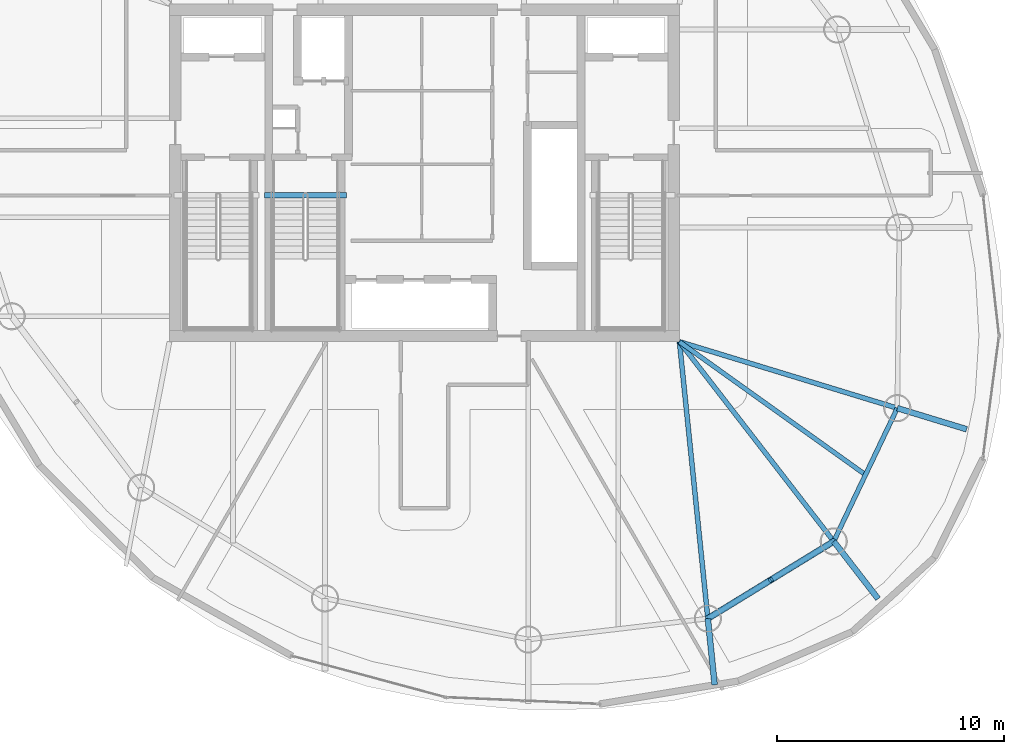
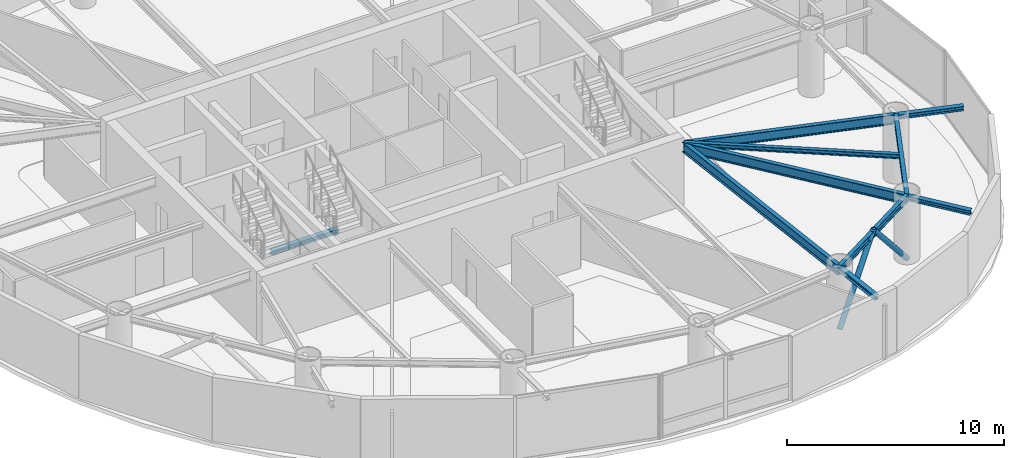
# One storey, part 6 of 20: 10 beams, 2 members.
"""IFC4 building model written with IfcOpenShell, lengths in metres."""

from ifc_helpers import new_model, si_unit, direction, frame, origin, origin_2d, place, context, subcontext, project, spatial, hollow_circle, i_section, extrude, material, material_profile, profile_set, type_object, element, save


model = new_model("IFC4")

# Units and contexts
model_context = context("Model", 3, precision=1e-05, world=origin(), true_north=direction((0.0, 1.0)))
body_context = subcontext(model_context, "Body", "Model", "MODEL_VIEW")
ifc_project = project(units=[si_unit("LENGTHUNIT", "METRE"), si_unit("AREAUNIT", "SQUARE_METRE"), si_unit("VOLUMEUNIT", "CUBIC_METRE"), si_unit("PLANEANGLEUNIT", "RADIAN"), si_unit("MASSUNIT", "GRAM", prefix="KILO")], contexts=[model_context])

# Site, building, storey
site_placement = place(None, origin())
site = spatial("IfcSite", under=ifc_project, at=site_placement, CompositionType="ELEMENT")
building_placement = place(site_placement, origin())
building = spatial("IfcBuilding", under=site, at=building_placement, Name="Bramvorn Convention Spire", CompositionType="ELEMENT")
storey_placement = place(building_placement, frame((0.0, 0.0, 178.89990234375)))
storey = spatial("IfcBuildingStorey", under=building, at=storey_placement, Name="L45", CompositionType="ELEMENT", Elevation=178.89990234375)

# Beams
ifc_material = material(Name="Steel CSA G40.21 Grade 350 (350W)", Category="steel")
ifc_material_profile_1 = material_profile(ifc_material, i_section(OverallWidth=0.201904296875, OverallDepth=0.2470703125, WebThickness=0.00732421875, FlangeThickness=0.010986328125, FilletRadius=0.011962890625, at=origin_2d()))
ifc_profile_set_1 = profile_set([ifc_material_profile_1], Name="Steel CSA G40.21 Grade 350 (350W) - W250X49")
beam_type_1 = type_object("IfcBeamType", Name="BM-W250X49", PredefinedType="JOIST", material=ifc_profile_set_1)
beam_1_placement = place(storey_placement, frame((49.25, 18.550048828125, 3.49658203125), z_axis=(0.813471895271, -0.581604225916, 0.0), x_axis=(0.581604225916, 0.813471895271, 0.0)))
element("IfcBeam", 1, at=beam_1_placement, inside=storey, type_object=beam_type_1, Name="L45 composite floor joist 01", PredefinedType="JOIST", context=body_context, shape_type="SweptSolid", body=[
    extrude(i_section(OverallWidth=0.201904296875, OverallDepth=0.2470703125, WebThickness=0.00732421875, FlangeThickness=0.010986328125, FilletRadius=0.011962890625, at=origin_2d()), origin(), (0.0, 0.0, 1.0), 10.093505859375),
])
ifc_material_profile_2 = material_profile(ifc_material, i_section(OverallWidth=0.25390625, OverallDepth=0.2529296875, WebThickness=0.008544921875, FlangeThickness=0.01416015625, FilletRadius=0.011962890625, at=origin_2d()))
ifc_profile_set_2 = profile_set([ifc_material_profile_2], Name="Steel CSA G40.21 Grade 350 (350W) - W250X73")
beam_type_2 = type_object("IfcBeamType", Name="BM-W250X73", PredefinedType="BEAM", material=ifc_profile_set_2)
beam_2_placement = place(storey_placement, frame((56.058349609375, 9.739990234375, 3.45849609375), z_axis=(0.611497441422, -0.791246408607, 0.0), x_axis=(0.791246408607, 0.611497441422, 0.0)))
element("IfcBeam", 2, at=beam_2_placement, inside=storey, type_object=beam_type_2, Name="L45 slab-edge cantilever tip beam MC01", PredefinedType="BEAM", context=body_context, shape_type="SweptSolid", body=[
    extrude(i_section(OverallWidth=0.25390625, OverallDepth=0.2529296875, WebThickness=0.008544921875, FlangeThickness=0.01416015625, FilletRadius=0.011962890625, at=origin_2d()), origin(), (0.0, 0.0, 1.0), 3.199951171875),
])
beam_3_placement = place(storey_placement, frame((58.863037109375, 15.619384765625, 3.45849609375), z_axis=(0.956544433432, -0.291586602694, 0.0), x_axis=(0.291586602694, 0.956544433432, 0.0)))
element("IfcBeam", 3, at=beam_3_placement, inside=storey, type_object=beam_type_2, Name="L45 slab-edge cantilever tip beam MC02", PredefinedType="BEAM", context=body_context, shape_type="SweptSolid", body=[
    extrude(i_section(OverallWidth=0.25390625, OverallDepth=0.2529296875, WebThickness=0.008544921875, FlangeThickness=0.01416015625, FilletRadius=0.011962890625, at=origin_2d()), origin(), (0.0, 0.0, 1.0), 3.2001953125),
])
beam_4_placement = place(storey_placement, frame((50.50439453125, 6.336181640625, 3.45849609375), z_axis=(0.102182620461, -0.994765656864, 0.0), x_axis=(0.994765656864, 0.102182620461, 0.0)))
element("IfcBeam", 4, at=beam_4_placement, inside=storey, type_object=beam_type_2, Name="L45 slab-edge cantilever tip beam MC16", PredefinedType="BEAM", context=body_context, shape_type="SweptSolid", body=[
    extrude(i_section(OverallWidth=0.25390625, OverallDepth=0.2529296875, WebThickness=0.008544921875, FlangeThickness=0.01416015625, FilletRadius=0.011962890625, at=origin_2d()), origin(), (0.0, 0.0, 1.0), 2.941162109375),
])
beam_5_placement = place(storey_placement, frame((30.949951171875, 25.010009765625, -0.12646484375), z_axis=(1.0, 0.0, 0.0), x_axis=(0.0, 1.0, 0.0)))
element("IfcBeam", 5, at=beam_5_placement, inside=storey, type_object=beam_type_2, Name="L45 ST3 stair arrival header beam", PredefinedType="BEAM", context=body_context, shape_type="SweptSolid", body=[
    extrude(i_section(OverallWidth=0.25390625, OverallDepth=0.2529296875, WebThickness=0.008544921875, FlangeThickness=0.01416015625, FilletRadius=0.011962890625, at=origin_2d()), origin(), (0.0, 0.0, 1.0), 3.610107421875),
])
ifc_material_profile_3 = material_profile(ifc_material, i_section(OverallWidth=0.205078125, OverallDepth=0.35400390625, WebThickness=0.009521484375, FlangeThickness=0.016845703125, FilletRadius=0.014892578125, at=origin_2d()))
ifc_profile_set_3 = profile_set([ifc_material_profile_3], Name="Steel CSA G40.21 Grade 350 (350W) - W360X79")
beam_type_3 = type_object("IfcBeamType", Name="BM-W360X79", PredefinedType="JOIST", material=ifc_profile_set_3)
beam_6_placement = place(storey_placement, frame((56.058349609375, 9.739990234375, 3.443115234375), z_axis=(0.430556138422, 0.902563799223, 0.0), x_axis=(-0.902563799223, 0.430556138422, 0.0)))
element("IfcBeam", 6, at=beam_6_placement, inside=storey, type_object=beam_type_3, Name="L45 mega-column ring beam 01", PredefinedType="JOIST", context=body_context, shape_type="SweptSolid", body=[
    extrude(i_section(OverallWidth=0.205078125, OverallDepth=0.35400390625, WebThickness=0.009521484375, FlangeThickness=0.016845703125, FilletRadius=0.014892578125, at=origin_2d()), origin(), (0.0, 0.0, 1.0), 6.51416015625),
])
beam_7_placement = place(storey_placement, frame((50.50439453125, 6.336181640625, 3.443115234375), z_axis=(0.852616873135, 0.522536570629, 0.0), x_axis=(-0.522536570629, 0.852616873135, 0.0)))
element("IfcBeam", 7, at=beam_7_placement, inside=storey, type_object=beam_type_3, Name="L45 mega-column ring beam 16", PredefinedType="JOIST", context=body_context, shape_type="SweptSolid", body=[
    extrude(i_section(OverallWidth=0.205078125, OverallDepth=0.35400390625, WebThickness=0.009521484375, FlangeThickness=0.016845703125, FilletRadius=0.014892578125, at=origin_2d()), origin(), (0.0, 0.0, 1.0), 6.513916015625),
])
ifc_material_profile_4 = material_profile(ifc_material, i_section(OverallWidth=0.2119140625, OverallDepth=0.5439453125, WebThickness=0.01318359375, FlangeThickness=0.021240234375, FilletRadius=0.01904296875, at=origin_2d()))
ifc_profile_set_4 = profile_set([ifc_material_profile_4], Name="Steel CSA G40.21 Grade 350 (350W) - W530X123")
beam_type_4 = type_object("IfcBeamType", Name="BM-W530X123", PredefinedType="BEAM", material=ifc_profile_set_4)
beam_8_placement = place(storey_placement, frame((49.25, 18.550048828125, 3.34814453125), z_axis=(0.611479951477, -0.791259925019, 0.0), x_axis=(0.791259925019, 0.611479951477, 0.0)))
element("IfcBeam", 8, at=beam_8_placement, inside=storey, type_object=beam_type_4, Name="L45 radial floor girder MC01", PredefinedType="BEAM", context=body_context, shape_type="SweptSolid", body=[
    extrude(i_section(OverallWidth=0.2119140625, OverallDepth=0.5439453125, WebThickness=0.01318359375, FlangeThickness=0.021240234375, FilletRadius=0.01904296875, at=origin_2d()), origin(), (0.0, 0.0, 1.0), 11.13427734375),
])
beam_9_placement = place(storey_placement, frame((49.25, 18.550048828125, 3.34814453125), z_axis=(0.95653637984, -0.291613021044, 0.0), x_axis=(0.291613021044, 0.95653637984, 0.0)))
element("IfcBeam", 9, at=beam_9_placement, inside=storey, type_object=beam_type_4, Name="L45 radial floor girder MC02", PredefinedType="BEAM", context=body_context, shape_type="SweptSolid", body=[
    extrude(i_section(OverallWidth=0.2119140625, OverallDepth=0.5439453125, WebThickness=0.01318359375, FlangeThickness=0.021240234375, FilletRadius=0.01904296875, at=origin_2d()), origin(), (0.0, 0.0, 1.0), 10.0498046875),
])
beam_10_placement = place(storey_placement, frame((49.25, 18.550048828125, 3.34814453125), z_axis=(0.10216509146, -0.994767457292, 0.0), x_axis=(0.994767457292, 0.10216509146, 0.0)))
element("IfcBeam", 10, at=beam_10_placement, inside=storey, type_object=beam_type_4, Name="L45 radial floor girder MC16", PredefinedType="BEAM", context=body_context, shape_type="SweptSolid", body=[
    extrude(i_section(OverallWidth=0.2119140625, OverallDepth=0.5439453125, WebThickness=0.01318359375, FlangeThickness=0.021240234375, FilletRadius=0.01904296875, at=origin_2d()), origin(), (0.0, 0.0, 1.0), 12.278076171875),
])

# Members
ifc_material_profile_5 = material_profile(ifc_material, hollow_circle(Radius=0.136474609375, WallThickness=0.0126953125, at=origin_2d()))
ifc_profile_set_5 = profile_set([ifc_material_profile_5], Name="Steel CSA G40.21 Grade 350 (350W) - CHS273X13")
member_type = type_object("IfcMemberType", Name="MBR-CHS273X13", PredefinedType="BRACE", material=ifc_profile_set_5)
for number, where, z_axis, x_axis, name in (
    (11, (50.50439453125, 6.336181640625, 0.0), (0.570281085842, 0.349488303244, 0.743395862933), (-0.522519873149, 0.852627106163, 0.0), "L45 perimeter Gothic lancet brace 16A"),
    (12, (56.058349609375, 9.739990234375, 0.0), (-0.570247254591, -0.349498295389, 0.743417117204), (0.522553268977, -0.852606639126, 0.0), "L45 perimeter Gothic lancet brace 16B"),
):
    element("IfcMember", number, at=place(storey_placement, frame(where, z_axis=z_axis, x_axis=x_axis)), inside=storey, type_object=member_type, Name=name, PredefinedType="BRACE", context=body_context, shape_type="SweptSolid", body=[
        extrude(hollow_circle(Radius=0.136474609375, WallThickness=0.0126953125, at=origin_2d()), origin(), (0.0, 0.0, 1.0), 4.86962890625),
    ])

save(model, "model.ifc")
